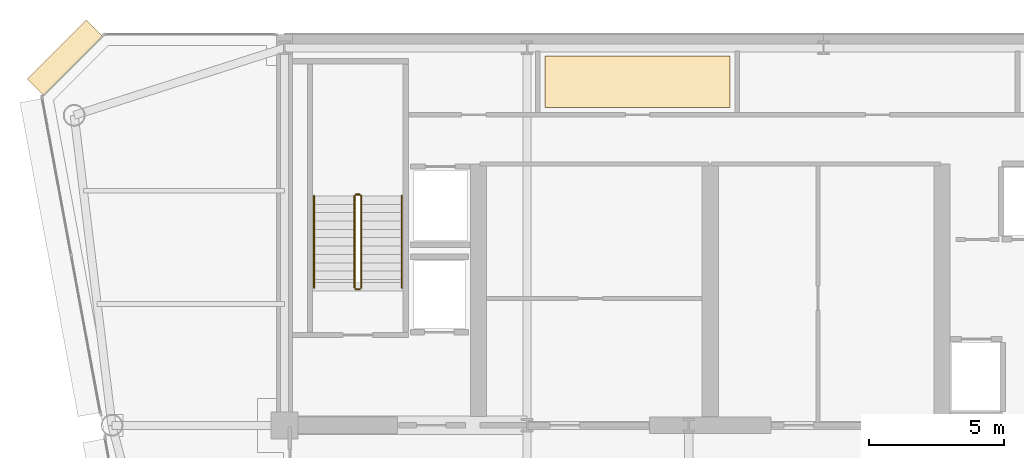
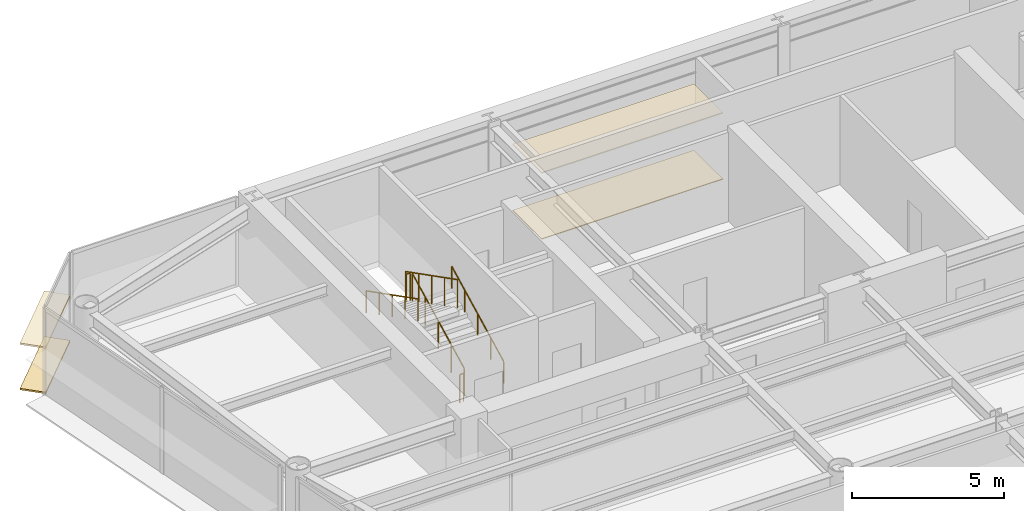
# One storey, part 14 of 16: 6 railings, 4 coverings.
"""IFC4 building model written with IfcOpenShell, lengths in metres."""

from ifc_helpers import new_model, si_unit, direction, frame, origin, origin_2d, place, context, subcontext, project, spatial, polyline, rectangle, circle, outline, extrude, source, transform, mapped, material, layer, layer_set, type_object, element, save


model = new_model("IFC4")

# Units and contexts
model_context = context("Model", 3, precision=1e-05, world=origin(), true_north=direction((0.0, 1.0)))
body_context = subcontext(model_context, "Body", "Model", "MODEL_VIEW")
ifc_project = project(units=[si_unit("LENGTHUNIT", "METRE"), si_unit("AREAUNIT", "SQUARE_METRE"), si_unit("VOLUMEUNIT", "CUBIC_METRE"), si_unit("PLANEANGLEUNIT", "RADIAN"), si_unit("MASSUNIT", "GRAM", prefix="KILO")], contexts=[model_context])

# Site, building, storey
site_placement = place(None, origin())
site = spatial("IfcSite", under=ifc_project, at=site_placement, CompositionType="ELEMENT")
building_placement = place(site_placement, origin())
building = spatial("IfcBuilding", under=site, at=building_placement, Name="Vaeldorn Concourse Tower", CompositionType="ELEMENT")
storey_placement = place(building_placement, frame((0.0, 0.0, 207.0)))
storey = spatial("IfcBuildingStorey", under=building, at=storey_placement, Name="L53", CompositionType="ELEMENT", Elevation=207.0)

# Coverings
ifc_material_1 = material(Name="Acoustic Mineral Fibre Board", Category="gypsum")
ifc_layer_1 = layer(ifc_material_1, 0.0400390625)
ifc_layer_set_1 = layer_set([ifc_layer_1], Name="Acoustic Mineral Fibre Board")
covering_type_1 = type_object("IfcCoveringType", Name="COV-CEIL-ACOUSTIC", PredefinedType="CEILING", material=ifc_layer_set_1)
covering_1_placement = place(storey_placement, frame((0.0, 0.0, 2.64990234375)))
element("IfcCovering", 1, at=covering_1_placement, inside=storey, type_object=covering_type_1, Name="Suspended Acoustic Ceiling L53-2", PredefinedType="CEILING", context=body_context, shape_type="SweptSolid", body=[
    extrude(outline(polyline([(30.5400390625, 50.199951171875), (30.5400390625, 48.300048828125), (23.659912109375, 48.300048828125), (23.659912109375, 50.199951171875), (30.5400390625, 50.199951171875)])), origin(), (0.0, 0.0, 1.0), 0.0400390625),
])
ifc_material_2 = material(Name="Honed Limestone Terrazzo Flooring", Category="masonry")
ifc_layer_2 = layer(ifc_material_2, 0.0400390625)
ifc_layer_set_2 = layer_set([ifc_layer_2], Name="Honed Limestone Terrazzo Flooring")
covering_type_2 = type_object("IfcCoveringType", Name="COV-FLOOR-STONE", PredefinedType="FLOORING", material=ifc_layer_set_2)
covering_2_placement = place(storey_placement, origin())
element("IfcCovering", 2, at=covering_2_placement, inside=storey, type_object=covering_type_2, Name="Floor Finish Covering L53-2", PredefinedType="FLOORING", context=body_context, shape_type="SweptSolid", body=[
    extrude(outline(polyline([(30.5400390625, 50.199951171875), (30.5400390625, 48.300048828125), (23.659912109375, 48.300048828125), (23.659912109375, 50.199951171875), (30.5400390625, 50.199951171875)])), origin(), (0.0, 0.0, 1.0), 0.030029296875),
])

# Railings
ifc_material_3 = material(Name="Anodised Bronze Aluminium", Category="aluminium")
railing_type_1 = type_object("IfcRailingType", Name="RL-STAIR-GUARD", PredefinedType="GUARDRAIL", material=ifc_material_3)
railing_1_placement = place(storey_placement, frame((16.85009765625, 41.60009765625, 0.158447265625)))
element("IfcRailing", 3, at=railing_1_placement, inside=storey, type_object=railing_type_1, Name="L53 ST-1 stair guard 1", PredefinedType="GUARDRAIL", context=body_context, shape_type="SweptSolid", body=[
    extrude(circle(Radius=0.02392578125, at=origin_2d()), frame((0.0, 0.0, 1.1259765625), z_axis=(0.0, 0.890581635807, 0.454823427236), x_axis=(-1.0, 0.0, 0.0)), (0.0, 0.0, 1.0), 3.828857421875),
    extrude(circle(Radius=0.02099609375, at=origin_2d()), origin(), (0.0, 0.0, 1.0), 1.101806640625),
    extrude(circle(Radius=0.02099609375, at=origin_2d()), frame((0.0, 0.8525390625, 0.435302734375)), (0.0, 0.0, 1.0), 1.101806640625),
    extrude(circle(Radius=0.02099609375, at=origin_2d()), frame((0.0, 1.705078125, 0.87060546875)), (0.0, 0.0, 1.0), 1.101806640625),
    extrude(circle(Radius=0.02099609375, at=origin_2d()), frame((0.0, 2.557373046875, 1.30615234375)), (0.0, 0.0, 1.0), 1.101806640625),
    extrude(circle(Radius=0.02099609375, at=origin_2d()), frame((0.0, 3.409912109375, 1.741455078125)), (0.0, 0.0, 1.0), 1.101806640625),
])
railing_2_placement = place(storey_placement, frame((16.800048828125, 45.06005859375, 1.89990234375)))
element("IfcRailing", 4, at=railing_2_placement, inside=storey, type_object=railing_type_1, Name="L53 ST-1 stair guard 2", PredefinedType="GUARDRAIL", context=body_context, shape_type="SweptSolid", body=[
    extrude(circle(Radius=0.02392578125, at=origin_2d()), frame((0.0, 0.0, 1.1259765625), z_axis=(-1.0, 0.0, 0.0), x_axis=(0.0, -1.0, 0.0)), (0.0, 0.0, 1.0), 0.150146484375),
    extrude(circle(Radius=0.02099609375, at=origin_2d()), origin(), (0.0, 0.0, 1.0), 1.101806640625),
    extrude(circle(Radius=0.02099609375, at=origin_2d()), frame((-0.150146484375, 0.0, 0.0)), (0.0, 0.0, 1.0), 1.101806640625),
])
railing_3_placement = place(storey_placement, frame((16.60009765625, 45.010009765625, 2.058349609375)))
element("IfcRailing", 5, at=railing_3_placement, inside=storey, type_object=railing_type_1, Name="L53 ST-1 stair guard 3", PredefinedType="GUARDRAIL", context=body_context, shape_type="SweptSolid", body=[
    extrude(circle(Radius=0.02392578125, at=origin_2d()), frame((0.0, 0.0, 1.1259765625), z_axis=(0.0, -0.890555807335, 0.454873997962), x_axis=(1.0, 0.0, 0.0)), (0.0, 0.0, 1.0), 3.828857421875),
    extrude(circle(Radius=0.02099609375, at=origin_2d()), origin(), (0.0, 0.0, 1.0), 1.101806640625),
    extrude(circle(Radius=0.02099609375, at=origin_2d()), frame((0.0, -0.8525390625, 0.435546875)), (0.0, 0.0, 1.0), 1.101806640625),
    extrude(circle(Radius=0.02099609375, at=origin_2d()), frame((0.0, -1.705078125, 0.870849609375)), (0.0, 0.0, 1.0), 1.101806640625),
    extrude(circle(Radius=0.02099609375, at=origin_2d()), frame((0.0, -2.557373046875, 1.30615234375)), (0.0, 0.0, 1.0), 1.101806640625),
    extrude(circle(Radius=0.02099609375, at=origin_2d()), frame((0.0, -3.409912109375, 1.74169921875)), (0.0, 0.0, 1.0), 1.101806640625),
])
railing_4_placement = place(storey_placement, frame((16.800048828125, 41.550048828125, 0.0)))
element("IfcRailing", 6, at=railing_4_placement, inside=storey, type_object=railing_type_1, Name="L53 ST-1 stair guard 4", PredefinedType="GUARDRAIL", context=body_context, shape_type="SweptSolid", body=[
    extrude(circle(Radius=0.02392578125, at=origin_2d()), frame((0.0, 0.0, 1.1259765625), z_axis=(-1.0, 0.0, 0.0), x_axis=(0.0, -1.0, 0.0)), (0.0, 0.0, 1.0), 0.150146484375),
    extrude(circle(Radius=0.02099609375, at=origin_2d()), origin(), (0.0, 0.0, 1.0), 1.101806640625),
    extrude(circle(Radius=0.02099609375, at=origin_2d()), frame((-0.150146484375, 0.0, 0.0)), (0.0, 0.0, 1.0), 1.101806640625),
])
railing_type_2 = type_object("IfcRailingType", Name="RL-STAIR-HANDRAIL", PredefinedType="HANDRAIL", material=ifc_material_3)
railing_5_placement = place(storey_placement, frame((18.35009765625, 41.60009765625, 0.158447265625)))
element("IfcRailing", 7, at=railing_5_placement, inside=storey, type_object=railing_type_2, Name="L53 ST-1 stair handrail 1", PredefinedType="HANDRAIL", context=body_context, shape_type="SweptSolid", body=[
    extrude(circle(Radius=0.02392578125, at=origin_2d()), frame((0.0, 0.0, 0.8759765625), z_axis=(0.0, 0.890581635807, 0.454823427236), x_axis=(-1.0, 0.0, 0.0)), (0.0, 0.0, 1.0), 3.828857421875),
    extrude(circle(Radius=0.02099609375, at=origin_2d()), origin(), (0.0, 0.0, 1.0), 0.851806640625),
    extrude(circle(Radius=0.02099609375, at=origin_2d()), frame((0.0, 0.8525390625, 0.435302734375)), (0.0, 0.0, 1.0), 0.851806640625),
    extrude(circle(Radius=0.02099609375, at=origin_2d()), frame((0.0, 1.705078125, 0.87060546875)), (0.0, 0.0, 1.0), 0.851806640625),
    extrude(circle(Radius=0.02099609375, at=origin_2d()), frame((0.0, 2.557373046875, 1.30615234375)), (0.0, 0.0, 1.0), 0.851806640625),
    extrude(circle(Radius=0.02099609375, at=origin_2d()), frame((0.0, 3.409912109375, 1.741455078125)), (0.0, 0.0, 1.0), 0.851806640625),
])
railing_6_placement = place(storey_placement, frame((15.10009765625, 45.010009765625, 2.058349609375)))
element("IfcRailing", 8, at=railing_6_placement, inside=storey, type_object=railing_type_2, Name="L53 ST-1 stair handrail 2", PredefinedType="HANDRAIL", context=body_context, shape_type="SweptSolid", body=[
    extrude(circle(Radius=0.02392578125, at=origin_2d()), frame((0.0, 0.0, 0.8759765625), z_axis=(0.0, -0.890555807335, 0.454873997962), x_axis=(1.0, 0.0, 0.0)), (0.0, 0.0, 1.0), 3.828857421875),
    extrude(circle(Radius=0.02099609375, at=origin_2d()), origin(), (0.0, 0.0, 1.0), 0.851806640625),
    extrude(circle(Radius=0.02099609375, at=origin_2d()), frame((0.0, -0.8525390625, 0.435546875)), (0.0, 0.0, 1.0), 0.851806640625),
    extrude(circle(Radius=0.02099609375, at=origin_2d()), frame((0.0, -1.705078125, 0.870849609375)), (0.0, 0.0, 1.0), 0.851806640625),
    extrude(circle(Radius=0.02099609375, at=origin_2d()), frame((0.0, -2.557373046875, 1.30615234375)), (0.0, 0.0, 1.0), 0.851806640625),
    extrude(circle(Radius=0.02099609375, at=origin_2d()), frame((0.0, -3.409912109375, 1.74169921875)), (0.0, 0.0, 1.0), 0.851806640625),
])

# Coverings
ifc_layer_3 = layer(ifc_material_3, 0.06494140625)
ifc_layer_set_3 = layer_set([ifc_layer_3], Name="Anodised Bronze Aluminium")
covering_type_3 = type_object("IfcCoveringType", Name="SD-BRONZE-SUNSHADE", PredefinedType="USERDEFINED", material=ifc_layer_set_3)
shared_shape = source(origin(), body_context, "Body", "SweptSolid", [
    extrude(rectangle(XDim=3.0927734375, YDim=0.8798828125, at=origin_2d()), origin(), (0.0, 0.0, 1.0), 0.06494140625),
])
for number, where, z_axis, x_axis, name in (
    (9, (5.8671875, 50.1328125, 0.047607421875), (0.0, 0.0, 1.0), (-0.707106781187, -0.707106781187, 0.0), "Horizontal Bronze Sunshade L53-E10.1.1"),
    (10, (5.8671875, 50.1328125, 1.867431640625), (0.0, 0.0, 1.0), (-0.707106781187, -0.707106781187, 0.0), "Horizontal Bronze Sunshade L53-E10.1.2"),
):
    element("IfcCovering", number, at=place(storey_placement, frame(where, z_axis=z_axis, x_axis=x_axis)), inside=storey, type_object=covering_type_3, Name=name, ObjectType="SUNSHADE", PredefinedType="USERDEFINED", context=body_context, shape_type="MappedRepresentation", body=[
        mapped(shared_shape, transform((0.0, 0.0, 0.0), scale=1.0)),
    ])

save(model, "model.ifc")
